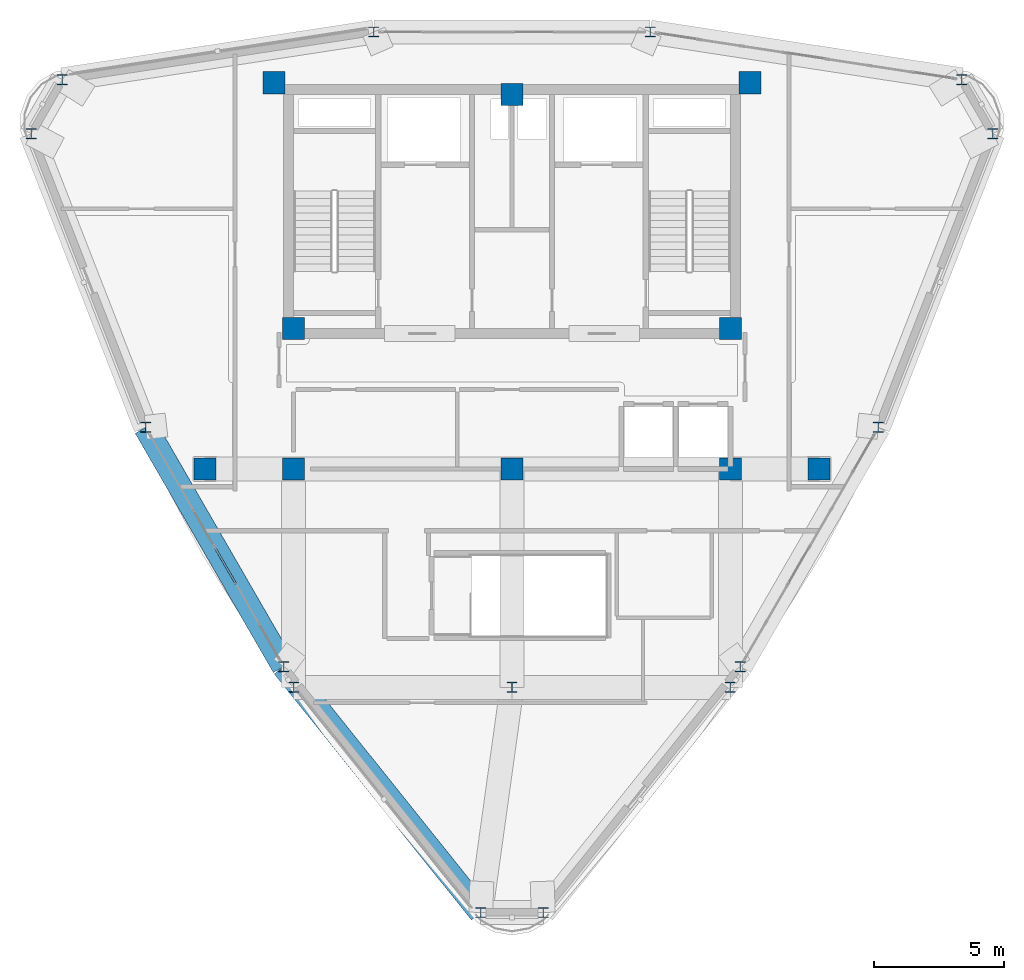
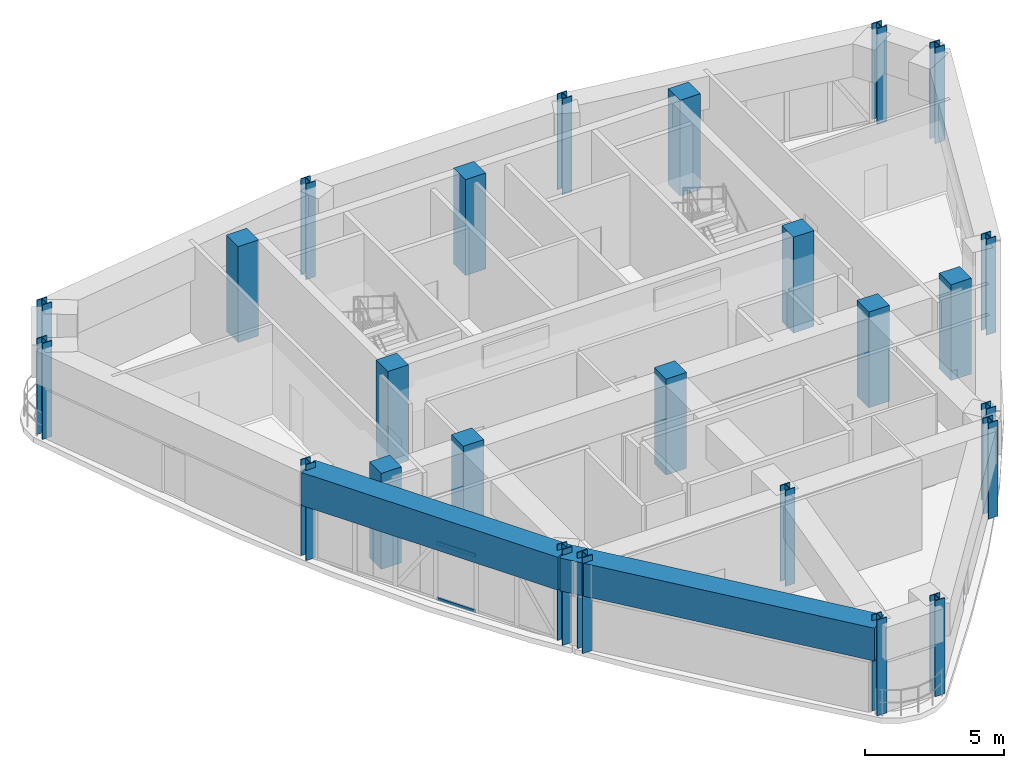
# One storey, part 1 of 16: 25 columns, 2 beams, 2 members, 1 element without a shape of its own.
"""IFC4 building model written with IfcOpenShell, lengths in metres."""

from ifc_helpers import new_model, si_unit, derived_unit, direction, frame, origin, origin_2d, place, context, subcontext, project, spatial, rectangle, hollow_rectangle, i_section, extrude, source, transform, mapped, material, layer, layer_set, material_profile, profile_set, type_object, element, aggregate, save


model = new_model("IFC4")

# Units and contexts
model_context = context("Model", 3, precision=1e-05, world=origin(), true_north=direction((0.0, 1.0)))
body_context = subcontext(model_context, "Body", "Model", "MODEL_VIEW")
ifc_project = project(units=[si_unit("LENGTHUNIT", "METRE"), si_unit("AREAUNIT", "SQUARE_METRE"), si_unit("VOLUMEUNIT", "CUBIC_METRE"), si_unit("PLANEANGLEUNIT", "RADIAN"), si_unit("MASSUNIT", "GRAM", prefix="KILO"), derived_unit("THERMALTRANSMITTANCEUNIT", [(si_unit("POWERUNIT", "WATT"), 1), (si_unit("LENGTHUNIT", "METRE"), -2), (si_unit("THERMODYNAMICTEMPERATUREUNIT", "KELVIN"), -1)])], contexts=[model_context])

# Site, building, storey
site_placement = place(None, origin())
site = spatial("IfcSite", under=ifc_project, at=site_placement, CompositionType="ELEMENT")
building_placement = place(site_placement, origin())
building = spatial("IfcBuilding", under=site, at=building_placement, Name="Korsvarv Bourse and Concert Hall", CompositionType="ELEMENT")
storey_placement = place(building_placement, frame((0.0, 0.0, 288.0)))
storey = spatial("IfcBuildingStorey", under=building, at=storey_placement, Name="L75", CompositionType="ELEMENT", Elevation=288.0)

# Columns
ifc_material_1 = material(Name="Concrete C50/60", Category="concrete")
ifc_material_profile_1 = material_profile(ifc_material_1, rectangle(XDim=0.85009765625, YDim=0.85009765625, at=origin_2d()), Name="RC 850x850")
ifc_profile_set_1 = profile_set([ifc_material_profile_1], Name="Concrete C50/60")
column_type_1 = type_object("IfcColumnType", Name="COL-RC850", PredefinedType="COLUMN", material=ifc_profile_set_1)
shared_shape_1 = source(origin(), body_context, "Body", "SweptSolid", [
    extrude(rectangle(XDim=0.85009765625, YDim=0.85009765625, at=origin_2d()), origin(), (0.0, 0.0, 1.0), 4.199951171875),
])
for number, where, z_axis, x_axis, name in (
    (1, (26.85009765625, 47.25, 0.0), (0.0, 0.0, 1.0), (1.0, 0.0, 0.0), "L75 column C-04"),
    (2, (45.14990234375, 47.25, 0.0), (0.0, 0.0, 1.0), (1.0, 0.0, 0.0), "L75 column C-04"),
    (3, (27.60009765625, 37.800048828125, 0.0), (0.0, 0.0, 1.0), (1.0, 0.0, 0.0), "L75 column C-04"),
    (4, (44.39990234375, 37.800048828125, 0.0), (0.0, 0.0, 1.0), (1.0, 0.0, 0.0), "L75 column C-04"),
    (5, (27.60009765625, 32.39990234375, 0.0), (0.0, 0.0, 1.0), (1.0, 0.0, 0.0), "L75 column C-04"),
    (6, (44.39990234375, 32.39990234375, 0.0), (0.0, 0.0, 1.0), (1.0, 0.0, 0.0), "L75 column C-04"),
    (7, (36.0, 46.800048828125, 0.0), (0.0, 0.0, 1.0), (1.0, 0.0, 0.0), "L75 column C-04"),
    (8, (36.0, 32.39990234375, 0.0), (0.0, 0.0, 1.0), (1.0, 0.0, 0.0), "L75 column C-04"),
    (9, (24.199951171875, 32.39990234375, 0.0), (0.0, 0.0, 1.0), (1.0, 0.0, 0.0), "L75 column C-04"),
    (10, (47.800048828125, 32.39990234375, 0.0), (0.0, 0.0, 1.0), (1.0, 0.0, 0.0), "L75 column C-04"),
):
    element("IfcColumn", number, at=place(storey_placement, frame(where, z_axis=z_axis, x_axis=x_axis)), inside=storey, type_object=column_type_1, Name=name, PredefinedType="COLUMN", context=body_context, shape_type="MappedRepresentation", body=[
        mapped(shared_shape_1, transform((0.0, 0.0, 0.0), scale=1.0)),
    ])
ifc_material_2 = material(Name="Steel S355", Category="steel")
ifc_material_profile_2 = material_profile(ifc_material_2, i_section(OverallWidth=0.40087890625, OverallDepth=0.39892578125, WebThickness=0.0224609375, FlangeThickness=0.035888671875, FilletRadius=0.014892578125, at=origin_2d()), Name="HD 400x314")
ifc_profile_set_2 = profile_set([ifc_material_profile_2], Name="Steel S355")
column_type_2 = type_object("IfcColumnType", Name="COL-HD314", PredefinedType="COLUMN", material=ifc_profile_set_2)
shared_shape_2 = source(origin(), body_context, "Body", "SweptSolid", [
    extrude(i_section(OverallWidth=0.40087890625, OverallDepth=0.39892578125, WebThickness=0.0224609375, FlangeThickness=0.035888671875, FilletRadius=0.014892578125, at=origin_2d()), origin(), (0.0, 0.0, 1.0), 4.199951171875),
])
for number, where, z_axis, x_axis, name in (
    (11, (27.60009765625, 24.0, 0.0), (0.0, 0.0, 1.0), (1.0, 0.0, 0.0), "L75 column C-11"),
    (12, (44.39990234375, 24.0, 0.0), (0.0, 0.0, 1.0), (1.0, 0.0, 0.0), "L75 column C-11"),
    (13, (36.0, 24.0, 0.0), (0.0, 0.0, 1.0), (1.0, 0.0, 0.0), "L75 column C-11"),
    (14, (54.491455078125, 45.287109375, 0.0), (0.0, 0.0, 1.0), (1.0, 0.0, 0.0), "L75 column C-11"),
    (15, (53.28857421875, 47.37060546875, 0.0), (0.0, 0.0, 1.0), (1.0, 0.0, 0.0), "L75 column C-11"),
    (16, (41.310302734375, 49.2041015625, 0.0), (0.0, 0.0, 1.0), (1.0, 0.0, 0.0), "L75 column C-11"),
    (17, (30.689697265625, 49.2041015625, 0.0), (0.0, 0.0, 1.0), (1.0, 0.0, 0.0), "L75 column C-11"),
    (18, (18.71142578125, 47.37060546875, 0.0), (0.0, 0.0, 1.0), (1.0, 0.0, 0.0), "L75 column C-11"),
    (19, (17.508544921875, 45.287109375, 0.0), (0.0, 0.0, 1.0), (1.0, 0.0, 0.0), "L75 column C-11"),
    (20, (21.909912109375, 33.996826171875, 0.0), (0.0, 0.0, 1.0), (1.0, 0.0, 0.0), "L75 column C-11"),
    (21, (27.22021484375, 24.79931640625, 0.0), (0.0, 0.0, 1.0), (1.0, 0.0, 0.0), "L75 column C-11"),
    (22, (34.797119140625, 15.34228515625, 0.0), (0.0, 0.0, 1.0), (1.0, 0.0, 0.0), "L75 column C-11"),
    (23, (37.202880859375, 15.34228515625, 0.0), (0.0, 0.0, 1.0), (1.0, 0.0, 0.0), "L75 column C-11"),
    (24, (44.77978515625, 24.79931640625, 0.0), (0.0, 0.0, 1.0), (1.0, 0.0, 0.0), "L75 column C-11"),
    (25, (50.090087890625, 33.996826171875, 0.0), (0.0, 0.0, 1.0), (1.0, 0.0, 0.0), "L75 column C-11"),
):
    element("IfcColumn", number, at=place(storey_placement, frame(where, z_axis=z_axis, x_axis=x_axis)), inside=storey, type_object=column_type_2, Name=name, PredefinedType="COLUMN", context=body_context, shape_type="MappedRepresentation", body=[
        mapped(shared_shape_2, transform((0.0, 0.0, 0.0), scale=1.0)),
    ])

# Beams
ifc_material_profile_3 = material_profile(ifc_material_1, rectangle(XDim=0.919921875, YDim=1.43994140625, at=origin_2d()), Name="RC-BM 920x1440")
ifc_profile_set_3 = profile_set([ifc_material_profile_3], Name="Concrete C50/60")
beam_type = type_object("IfcBeamType", Name="BM-TR-144", PredefinedType="BEAM", material=ifc_profile_set_3)
shared_shape_3 = source(origin(), body_context, "Body", "SweptSolid", [
    extrude(rectangle(XDim=0.919921875, YDim=1.43994140625, at=origin_2d()), origin(), (0.0, 0.0, 1.0), 12.117919921875),
])
beam_1_placement = place(storey_placement, frame((27.22021484375, 24.79931640625, 3.22998046875), z_axis=(0.625262438547, -0.780414558387, 0.0), x_axis=(0.780414558387, 0.625262438547, 0.0)))
element("IfcBeam", 26, at=beam_1_placement, inside=storey, type_object=beam_type, Name="L75 beam B-TR4", PredefinedType="BEAM", context=body_context, shape_type="MappedRepresentation", body=[
    mapped(shared_shape_3, transform((0.0, 0.0, 0.0), scale=1.0)),
])
shared_shape_4 = source(origin(), body_context, "Body", "SweptSolid", [
    extrude(rectangle(XDim=0.919921875, YDim=1.43994140625, at=origin_2d()), origin(), (0.0, 0.0, 1.0), 10.620361328125),
])
beam_2_placement = place(storey_placement, frame((21.909912109375, 33.996826171875, 3.22998046875), z_axis=(0.500008332643, -0.866020592877, 0.0), x_axis=(0.866020592877, 0.500008332643, 0.0)))
element("IfcBeam", 27, at=beam_2_placement, inside=storey, type_object=beam_type, Name="L75 beam B-TR4", PredefinedType="BEAM", context=body_context, shape_type="MappedRepresentation", body=[
    mapped(shared_shape_4, transform((0.0, 0.0, 0.0), scale=1.0)),
])

# Curtain wall, members
ifc_material_3 = material(Name="Anodised aluminium and triple low-E glazing", Category="glass")
ifc_layer = layer(ifc_material_3, 0.18994140625)
ifc_layer_set = layer_set([ifc_layer], Name="Anodised aluminium and triple low-E glazing")
curtain_wall_type = type_object("IfcCurtainWallType", Name="CW-SYS-4", PredefinedType="NOTDEFINED", material=ifc_layer_set)
curtain_wall_placement = place(storey_placement, origin())
curtain_wall = element("IfcCurtainWall", 28, at=curtain_wall_placement, inside=storey, type_object=curtain_wall_type, Name="L75 CW4 curtain wall CW-L75-F07", PredefinedType="NOTDEFINED")
ifc_material_4 = material(Name="Extruded aluminium EN AW-6063 T66", Category="aluminium")
ifc_material_profile_4 = material_profile(ifc_material_4, hollow_rectangle(XDim=0.06494140625, YDim=0.139892578125, WallThickness=0.00390625, at=origin_2d()), Name="ALU-T 65x140")
ifc_profile_set_4 = profile_set([ifc_material_profile_4], Name="Extruded aluminium EN AW-6063 T66")
member_type = type_object("IfcMemberType", Name="CWT-140", PredefinedType="USERDEFINED", material=ifc_profile_set_4)
shared_shape_5 = source(origin(), body_context, "Body", "SweptSolid", [
    extrude(hollow_rectangle(XDim=0.06494140625, YDim=0.139892578125, WallThickness=0.00390625, at=origin_2d()), origin(), (0.0, 0.0, 1.0), 1.60400390625),
])
member_1_placement = place(storey_placement, frame((24.58251953125, 29.36767578125, 0.032470703125), z_axis=(0.499985955615, -0.866033512162, 0.0), x_axis=(0.866033512162, 0.499985955615, 0.0)))
member_1 = element("IfcMember", 29, at=member_1_placement, type_object=member_type, Name="CW4 transom 4.1", ObjectType="TRANSOM", PredefinedType="USERDEFINED", context=body_context, shape_type="MappedRepresentation", body=[
    mapped(shared_shape_5, transform((0.0, 0.0, 0.0), scale=1.0)),
])
member_2_placement = place(storey_placement, frame((24.58251953125, 29.36767578125, 2.4775390625), z_axis=(0.499985955615, -0.866033512162, 0.0), x_axis=(0.866033512162, 0.499985955615, 0.0)))
member_2 = element("IfcMember", 30, at=member_2_placement, type_object=member_type, Name="CW4 transom 4.2", ObjectType="TRANSOM", PredefinedType="USERDEFINED", context=body_context, shape_type="MappedRepresentation", body=[
    mapped(shared_shape_5, transform((0.0, 0.0, 0.0), scale=1.0)),
])
aggregate(curtain_wall, [member_1, member_2])

save(model, "model.ifc")
